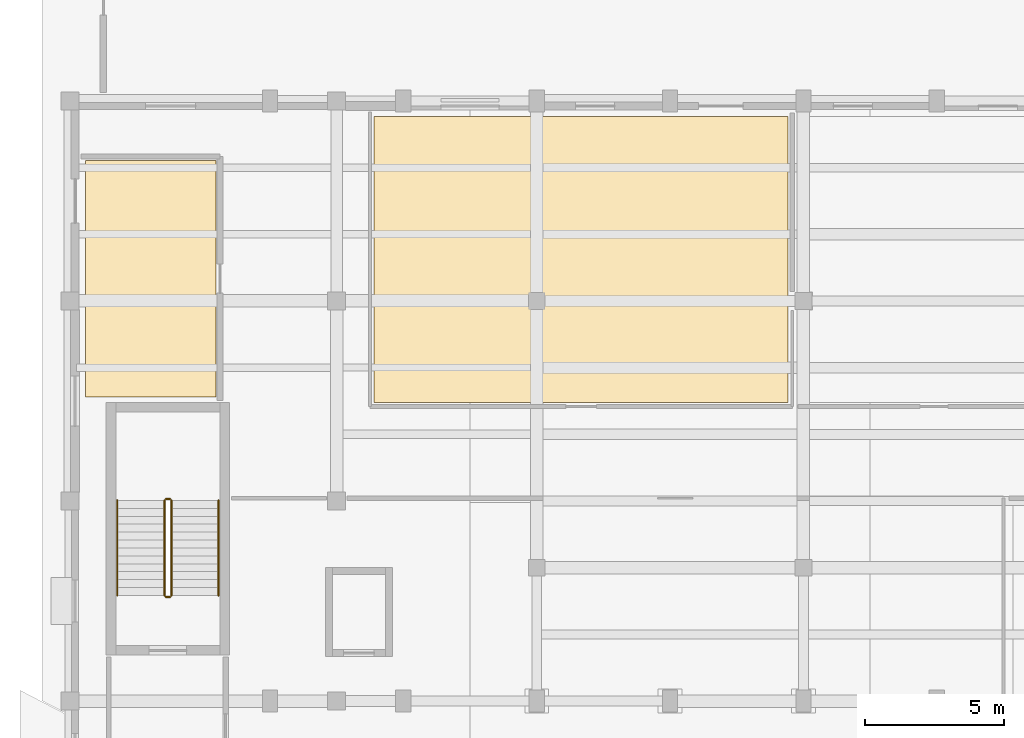
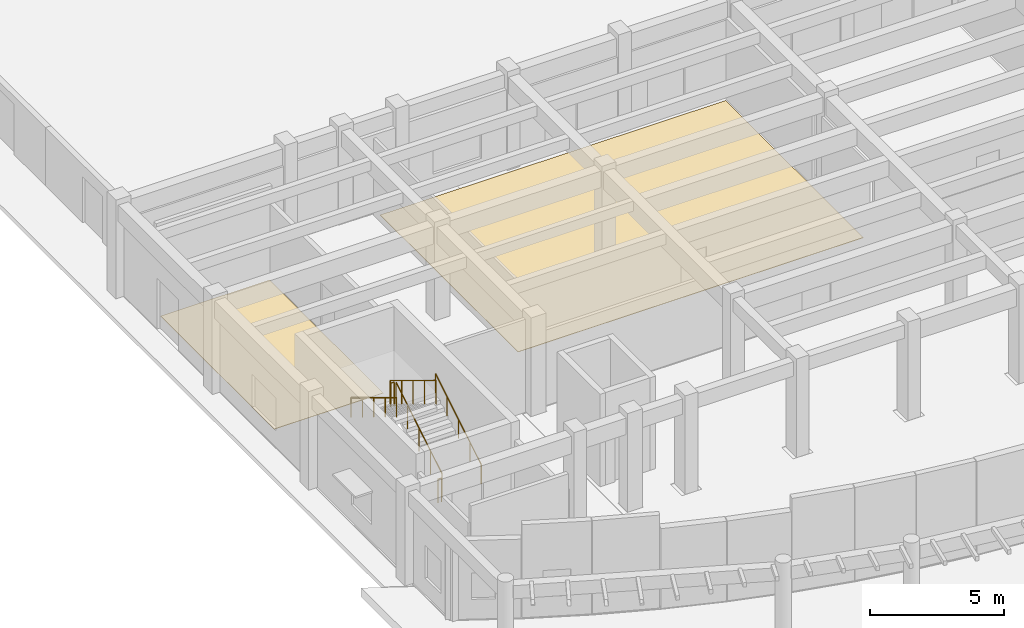
# One storey, part 46 of 58: 6 railings, 2 coverings.
"""IFC4 building model written with IfcOpenShell, lengths in metres."""

from ifc_helpers import new_model, si_unit, direction, frame, origin, origin_2d, place, context, subcontext, project, spatial, polyline, circle, outline, extrude, material, layer, layer_set, type_object, element, save


model = new_model("IFC4")

# Units and contexts
model_context = context("Model", 3, precision=1e-05, world=origin(), true_north=direction((0.0, 1.0)))
body_context = subcontext(model_context, "Body", "Model", "MODEL_VIEW")
ifc_project = project(units=[si_unit("LENGTHUNIT", "METRE"), si_unit("AREAUNIT", "SQUARE_METRE"), si_unit("VOLUMEUNIT", "CUBIC_METRE"), si_unit("PLANEANGLEUNIT", "RADIAN"), si_unit("MASSUNIT", "GRAM", prefix="KILO")], contexts=[model_context])

# Site, building, storey
site_placement = place(None, origin())
site = spatial("IfcSite", under=ifc_project, at=site_placement, CompositionType="ELEMENT")
building_placement = place(site_placement, origin())
building = spatial("IfcBuilding", under=site, at=building_placement, Name="Brisavento Harbour Community Centre", CompositionType="ELEMENT")
storey_placement = place(building_placement, origin())
storey = spatial("IfcBuildingStorey", under=building, at=storey_placement, Name="L00", CompositionType="ELEMENT", Elevation=0.0)

# Coverings
ifc_material_1 = material(Name="Polished marine terrazzo tile", Category="other")
ifc_layer = layer(ifc_material_1, 0.02001953125, Name="Polished marine terrazzo tile")
ifc_layer_set = layer_set([ifc_layer], Name="Polished marine terrazzo tile")
covering_type = type_object("IfcCoveringType", Name="COV-FLR-TRZ", PredefinedType="FLOORING", material=ifc_layer_set)
covering_1_placement = place(storey_placement, origin())
element("IfcCovering", 1, at=covering_1_placement, inside=storey, type_object=covering_type, Name="L00 Fire Command Room terrazzo flooring", PredefinedType="FLOORING", context=body_context, shape_type="SweptSolid", body=[
    extrude(outline(polyline([(5.25, 25.35009765625), (5.25, 33.85009765625), (0.550048828125, 33.85009765625), (0.550048828125, 25.35009765625), (5.25, 25.35009765625)])), origin(), (0.0, 0.0, 1.0), 0.02001953125),
])
covering_2_placement = place(storey_placement, origin())
element("IfcCovering", 2, at=covering_2_placement, inside=storey, type_object=covering_type, Name="L00 Centre Administration Workroom terrazzo flooring", PredefinedType="FLOORING", context=body_context, shape_type="SweptSolid", body=[
    extrude(outline(polyline([(10.949951171875, 25.14990234375), (25.85009765625, 25.14990234375), (25.85009765625, 35.449951171875), (10.949951171875, 35.449951171875), (10.949951171875, 25.14990234375)])), origin(), (0.0, 0.0, 1.0), 0.02001953125),
])

# Railings
ifc_material_2 = material(Name="Stainless steel 1.4401", Category="steel")
railing_type_1 = type_object("IfcRailingType", Name="RL-ST-GUARD", PredefinedType="GUARDRAIL", material=ifc_material_2)
railing_1_placement = place(storey_placement, frame((3.64990234375, 18.199951171875, 0.173095703125)))
element("IfcRailing", 3, at=railing_1_placement, inside=storey, type_object=railing_type_1, Name="L00 ST-01 stair guard 1", PredefinedType="GUARDRAIL", context=body_context, shape_type="SweptSolid", body=[
    extrude(circle(Radius=0.02392578125, at=origin_2d()), frame((0.0, 0.0, 1.076171875), z_axis=(0.0, 0.854745945586, 0.519046595696), x_axis=(-1.0, 0.0, 0.0)), (0.0, 0.0, 1.0), 4.00146484375),
    extrude(circle(Radius=0.02099609375, at=origin_2d()), origin(), (0.0, 0.0, 1.0), 1.052001953125),
    extrude(circle(Radius=0.02099609375, at=origin_2d()), frame((0.0, 0.85498046875, 0.519287109375)), (0.0, 0.0, 1.0), 1.052001953125),
    extrude(circle(Radius=0.02099609375, at=origin_2d()), frame((0.0, 1.7099609375, 1.03857421875)), (0.0, 0.0, 1.0), 1.052001953125),
    extrude(circle(Radius=0.02099609375, at=origin_2d()), frame((0.0, 2.565185546875, 1.5576171875)), (0.0, 0.0, 1.0), 1.052001953125),
    extrude(circle(Radius=0.02099609375, at=origin_2d()), frame((0.0, 3.420166015625, 2.076904296875)), (0.0, 0.0, 1.0), 1.052001953125),
])
railing_2_placement = place(storey_placement, frame((3.60009765625, 21.669921875, 2.25)))
element("IfcRailing", 4, at=railing_2_placement, inside=storey, type_object=railing_type_1, Name="L00 ST-01 stair guard 2", PredefinedType="GUARDRAIL", context=body_context, shape_type="SweptSolid", body=[
    extrude(circle(Radius=0.02392578125, at=origin_2d()), frame((0.0, 0.0, 1.076171875), z_axis=(-1.0, 0.0, 0.0), x_axis=(0.0, -1.0, 0.0)), (0.0, 0.0, 1.0), 0.150146484375),
    extrude(circle(Radius=0.02099609375, at=origin_2d()), origin(), (0.0, 0.0, 1.0), 1.052001953125),
    extrude(circle(Radius=0.02099609375, at=origin_2d()), frame((-0.150146484375, 0.0, 0.0)), (0.0, 0.0, 1.0), 1.052001953125),
])
railing_3_placement = place(storey_placement, frame((3.39990234375, 21.6201171875, 2.423095703125)))
element("IfcRailing", 5, at=railing_3_placement, inside=storey, type_object=railing_type_1, Name="L00 ST-01 stair guard 3", PredefinedType="GUARDRAIL", context=body_context, shape_type="SweptSolid", body=[
    extrude(circle(Radius=0.02392578125, at=origin_2d()), frame((0.0, 0.0, 1.076171875), z_axis=(0.0, -0.854745945586, 0.519046595696), x_axis=(1.0, 0.0, 0.0)), (0.0, 0.0, 1.0), 4.00146484375),
    extrude(circle(Radius=0.02099609375, at=origin_2d()), origin(), (0.0, 0.0, 1.0), 1.052001953125),
    extrude(circle(Radius=0.02099609375, at=origin_2d()), frame((0.0, -0.85498046875, 0.519287109375)), (0.0, 0.0, 1.0), 1.052001953125),
    extrude(circle(Radius=0.02099609375, at=origin_2d()), frame((0.0, -1.7099609375, 1.03857421875)), (0.0, 0.0, 1.0), 1.052001953125),
    extrude(circle(Radius=0.02099609375, at=origin_2d()), frame((0.0, -2.565185546875, 1.5576171875)), (0.0, 0.0, 1.0), 1.052001953125),
    extrude(circle(Radius=0.02099609375, at=origin_2d()), frame((0.0, -3.420166015625, 2.076904296875)), (0.0, 0.0, 1.0), 1.052001953125),
])
railing_4_placement = place(storey_placement, frame((3.60009765625, 18.14990234375, 0.0)))
element("IfcRailing", 6, at=railing_4_placement, inside=storey, type_object=railing_type_1, Name="L00 ST-01 stair guard 4", PredefinedType="GUARDRAIL", context=body_context, shape_type="SweptSolid", body=[
    extrude(circle(Radius=0.02392578125, at=origin_2d()), frame((0.0, 0.0, 1.076171875), z_axis=(-1.0, 0.0, 0.0), x_axis=(0.0, -1.0, 0.0)), (0.0, 0.0, 1.0), 0.150146484375),
    extrude(circle(Radius=0.02099609375, at=origin_2d()), origin(), (0.0, 0.0, 1.0), 1.052001953125),
    extrude(circle(Radius=0.02099609375, at=origin_2d()), frame((-0.150146484375, 0.0, 0.0)), (0.0, 0.0, 1.0), 1.052001953125),
])
railing_type_2 = type_object("IfcRailingType", Name="RL-ST-HAND", PredefinedType="HANDRAIL", material=ifc_material_2)
railing_5_placement = place(storey_placement, frame((5.35009765625, 18.199951171875, 0.173095703125)))
element("IfcRailing", 7, at=railing_5_placement, inside=storey, type_object=railing_type_2, Name="L00 ST-01 stair handrail 1", PredefinedType="HANDRAIL", context=body_context, shape_type="SweptSolid", body=[
    extrude(circle(Radius=0.02392578125, at=origin_2d()), frame((0.0, 0.0, 0.8759765625), z_axis=(0.0, 0.854745945586, 0.519046595696), x_axis=(-1.0, 0.0, 0.0)), (0.0, 0.0, 1.0), 4.00146484375),
    extrude(circle(Radius=0.02099609375, at=origin_2d()), origin(), (0.0, 0.0, 1.0), 0.851806640625),
    extrude(circle(Radius=0.02099609375, at=origin_2d()), frame((0.0, 0.85498046875, 0.519287109375)), (0.0, 0.0, 1.0), 0.851806640625),
    extrude(circle(Radius=0.02099609375, at=origin_2d()), frame((0.0, 1.7099609375, 1.03857421875)), (0.0, 0.0, 1.0), 0.851806640625),
    extrude(circle(Radius=0.02099609375, at=origin_2d()), frame((0.0, 2.565185546875, 1.5576171875)), (0.0, 0.0, 1.0), 0.851806640625),
    extrude(circle(Radius=0.02099609375, at=origin_2d()), frame((0.0, 3.420166015625, 2.076904296875)), (0.0, 0.0, 1.0), 0.851806640625),
])
railing_6_placement = place(storey_placement, frame((1.699951171875, 21.6201171875, 2.423095703125)))
element("IfcRailing", 8, at=railing_6_placement, inside=storey, type_object=railing_type_2, Name="L00 ST-01 stair handrail 2", PredefinedType="HANDRAIL", context=body_context, shape_type="SweptSolid", body=[
    extrude(circle(Radius=0.02392578125, at=origin_2d()), frame((0.0, 0.0, 0.8759765625), z_axis=(0.0, -0.854745945586, 0.519046595696), x_axis=(1.0, 0.0, 0.0)), (0.0, 0.0, 1.0), 4.00146484375),
    extrude(circle(Radius=0.02099609375, at=origin_2d()), origin(), (0.0, 0.0, 1.0), 0.851806640625),
    extrude(circle(Radius=0.02099609375, at=origin_2d()), frame((0.0, -0.85498046875, 0.519287109375)), (0.0, 0.0, 1.0), 0.851806640625),
    extrude(circle(Radius=0.02099609375, at=origin_2d()), frame((0.0, -1.7099609375, 1.03857421875)), (0.0, 0.0, 1.0), 0.851806640625),
    extrude(circle(Radius=0.02099609375, at=origin_2d()), frame((0.0, -2.565185546875, 1.5576171875)), (0.0, 0.0, 1.0), 0.851806640625),
    extrude(circle(Radius=0.02099609375, at=origin_2d()), frame((0.0, -3.420166015625, 2.076904296875)), (0.0, 0.0, 1.0), 0.851806640625),
])

save(model, "model.ifc")
